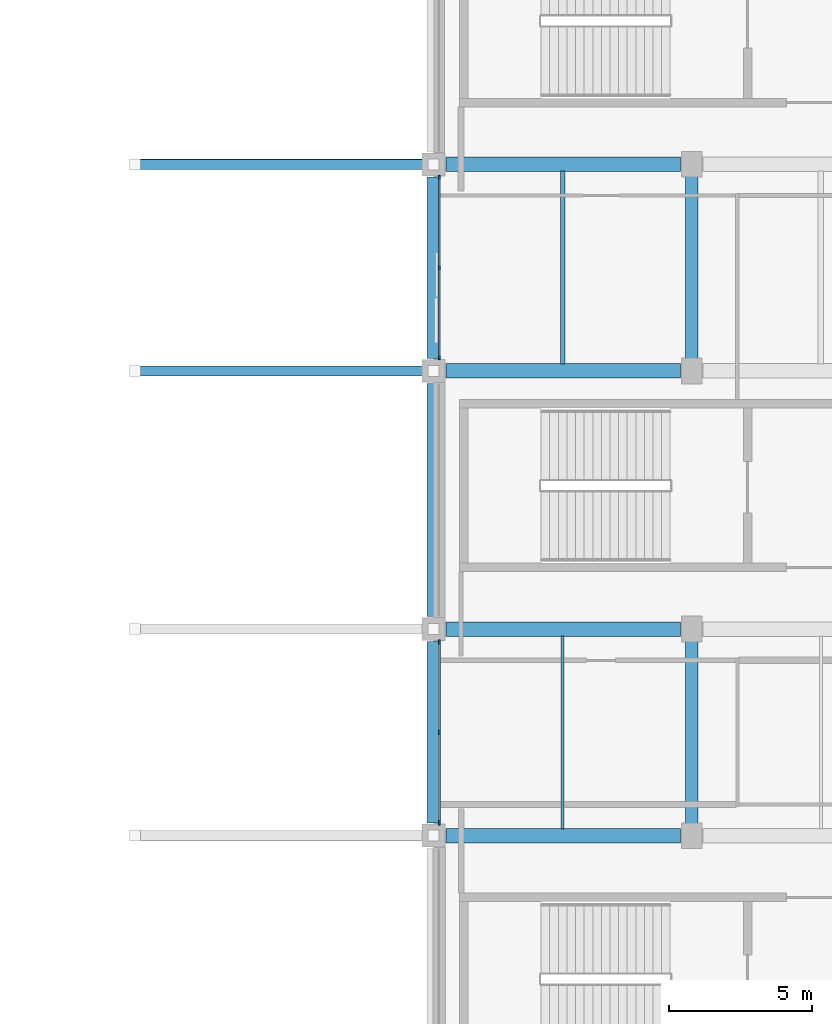
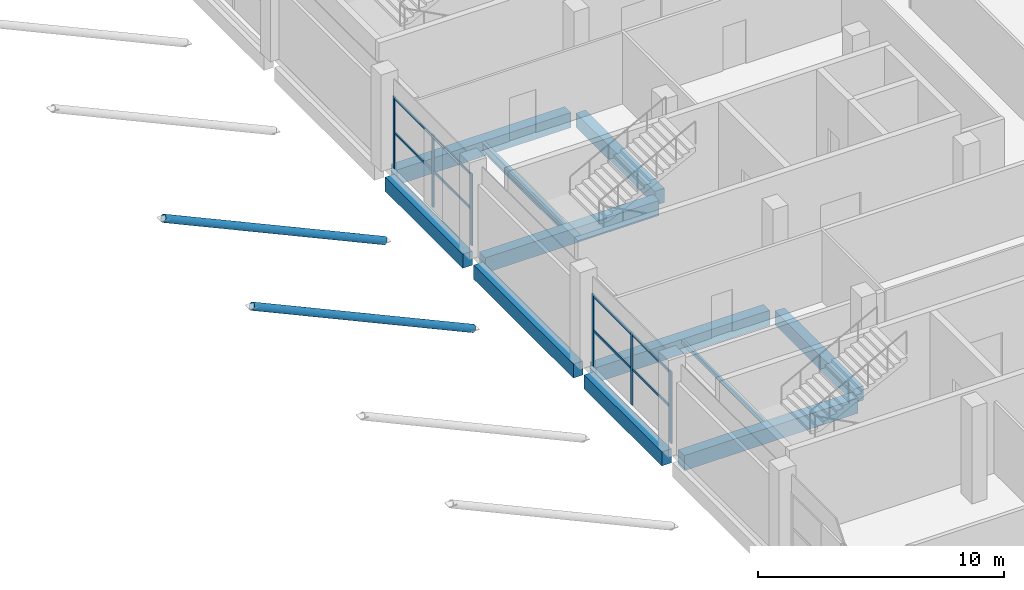
# One storey, part 28 of 82: 12 members, 11 beams, 2 elements without a shape of their own.
"""IFC4 building model written with IfcOpenShell, lengths in metres."""

from ifc_helpers import new_model, si_unit, direction, frame, origin, origin_2d, place, context, subcontext, project, spatial, rectangle, hollow_rectangle, hollow_circle, i_section, extrude, material, material_profile, profile_set, type_object, element, aggregate, save


model = new_model("IFC4")

# Units and contexts
model_context = context("Model", 3, precision=1e-05, world=origin(), true_north=direction((0.0, 1.0)))
body_context = subcontext(model_context, "Body", "Model", "MODEL_VIEW")
ifc_project = project(units=[si_unit("LENGTHUNIT", "METRE"), si_unit("AREAUNIT", "SQUARE_METRE"), si_unit("VOLUMEUNIT", "CUBIC_METRE"), si_unit("PLANEANGLEUNIT", "RADIAN"), si_unit("MASSUNIT", "GRAM", prefix="KILO"), si_unit("THERMODYNAMICTEMPERATUREUNIT", "KELVIN"), si_unit("POWERUNIT", "WATT")], contexts=[model_context])

# Site, building, storey
site_placement = place(None, origin())
site = spatial("IfcSite", under=ifc_project, at=site_placement, CompositionType="ELEMENT")
building_placement = place(site_placement, origin())
building = spatial("IfcBuilding", under=site, at=building_placement, Name="Sindhuravela Promenade Stadium", CompositionType="ELEMENT")
storey_placement = place(building_placement, frame((0.0, 0.0, 14.39990234375)))
storey = spatial("IfcBuildingStorey", under=building, at=storey_placement, Name="L03", CompositionType="ELEMENT", Elevation=14.39990234375)

# Curtain wall, members
ifc_material_1 = material(Name="Anodised architectural aluminium 6063-T6", Category="aluminium")
curtain_wall_type_1 = type_object("IfcCurtainWallType", Name="CW-MOD-4", PredefinedType="NOTDEFINED", material=ifc_material_1)
curtain_wall_1_placement = place(storey_placement, origin())
curtain_wall_1 = element("IfcCurtainWall", 1, at=curtain_wall_1_placement, inside=storey, type_object=curtain_wall_type_1, Name="Bronze curtain wall CW-EAST-L03-123", PredefinedType="NOTDEFINED")
ifc_material_profile_1 = material_profile(ifc_material_1, rectangle(XDim=0.06005859375, YDim=0.159912109375, at=origin_2d()), Name="ALU M60x160")
ifc_profile_set_1 = profile_set([ifc_material_profile_1], Name="Anodised architectural aluminium 6063-T6")
member_type_1 = type_object("IfcMemberType", Name="CW-MUL-4", PredefinedType="MULLION", material=ifc_profile_set_1)
member_1_placement = place(storey_placement, frame((180.199951171875, 77.85009765625, 0.0), z_axis=(0.0, 0.0, 1.0), x_axis=(1.0, 0.0, 0.0)))
member_1 = element("IfcMember", 2, at=member_1_placement, type_object=member_type_1, Name="Curtain wall mullion CW-EAST-L03-123-M1", PredefinedType="MULLION", context=body_context, shape_type="SweptSolid", body=[
    extrude(rectangle(XDim=0.06005859375, YDim=0.159912109375, at=origin_2d()), origin(), (0.0, 0.0, 1.0), 3.580078125),
])
member_2_placement = place(storey_placement, frame((180.199951171875, 81.0, 0.0), z_axis=(0.0, 0.0, 1.0), x_axis=(1.0, 0.0, 0.0)))
member_2 = element("IfcMember", 3, at=member_2_placement, type_object=member_type_1, Name="Curtain wall mullion CW-EAST-L03-123-M2", PredefinedType="MULLION", context=body_context, shape_type="SweptSolid", body=[
    extrude(rectangle(XDim=0.06005859375, YDim=0.159912109375, at=origin_2d()), origin(), (0.0, 0.0, 1.0), 3.580078125),
])
member_3_placement = place(storey_placement, frame((180.199951171875, 84.14990234375, 0.0), z_axis=(0.0, 0.0, 1.0), x_axis=(1.0, 0.0, 0.0)))
member_3 = element("IfcMember", 4, at=member_3_placement, type_object=member_type_1, Name="Curtain wall mullion CW-EAST-L03-123-M3", PredefinedType="MULLION", context=body_context, shape_type="SweptSolid", body=[
    extrude(rectangle(XDim=0.06005859375, YDim=0.159912109375, at=origin_2d()), origin(), (0.0, 0.0, 1.0), 3.580078125),
])

curtain_wall_type_2 = type_object("IfcCurtainWallType", Name="CW-MOD-5", PredefinedType="NOTDEFINED", material=ifc_material_1)
curtain_wall_2_placement = place(storey_placement, origin())
curtain_wall_2 = element("IfcCurtainWall", 5, at=curtain_wall_2_placement, inside=storey, type_object=curtain_wall_type_2, Name="Bronze curtain wall CW-EAST-L03-124", PredefinedType="NOTDEFINED")
ifc_material_profile_2 = material_profile(ifc_material_1, rectangle(XDim=0.06005859375, YDim=0.139892578125, at=origin_2d()), Name="ALU M60x140")
ifc_profile_set_2 = profile_set([ifc_material_profile_2], Name="Anodised architectural aluminium 6063-T6")
member_type_2 = type_object("IfcMemberType", Name="CW-MUL-5", PredefinedType="MULLION", material=ifc_profile_set_2)
member_4_placement = place(storey_placement, frame((180.199951171875, 94.050048828125, 0.0), z_axis=(0.0, 0.0, 1.0), x_axis=(1.0, 0.0, 0.0)))
member_4 = element("IfcMember", 6, at=member_4_placement, type_object=member_type_2, Name="Curtain wall mullion CW-EAST-L03-124-M1", PredefinedType="MULLION", context=body_context, shape_type="SweptSolid", body=[
    extrude(rectangle(XDim=0.06005859375, YDim=0.139892578125, at=origin_2d()), origin(), (0.0, 0.0, 1.0), 3.580078125),
])
member_5_placement = place(storey_placement, frame((180.199951171875, 97.199951171875, 0.0), z_axis=(0.0, 0.0, 1.0), x_axis=(1.0, 0.0, 0.0)))
member_5 = element("IfcMember", 7, at=member_5_placement, type_object=member_type_2, Name="Curtain wall mullion CW-EAST-L03-124-M2", PredefinedType="MULLION", context=body_context, shape_type="SweptSolid", body=[
    extrude(rectangle(XDim=0.06005859375, YDim=0.139892578125, at=origin_2d()), origin(), (0.0, 0.0, 1.0), 3.580078125),
])
member_6_placement = place(storey_placement, frame((180.199951171875, 100.35009765625, 0.0), z_axis=(0.0, 0.0, 1.0), x_axis=(1.0, 0.0, 0.0)))
member_6 = element("IfcMember", 8, at=member_6_placement, type_object=member_type_2, Name="Curtain wall mullion CW-EAST-L03-124-M3", PredefinedType="MULLION", context=body_context, shape_type="SweptSolid", body=[
    extrude(rectangle(XDim=0.06005859375, YDim=0.139892578125, at=origin_2d()), origin(), (0.0, 0.0, 1.0), 3.580078125),
])

# Member
ifc_material_profile_3 = material_profile(ifc_material_1, rectangle(XDim=0.06005859375, YDim=0.1201171875, at=origin_2d()), Name="ALU T60x120")
ifc_profile_set_3 = profile_set([ifc_material_profile_3], Name="Anodised architectural aluminium 6063-T6")
member_type_3 = type_object("IfcMemberType", Name="CW-TRN-4", PredefinedType="USERDEFINED", material=ifc_profile_set_3)
member_7_placement = place(storey_placement, frame((180.199951171875, 77.824951171875, 1.7900390625), z_axis=(0.0, 1.0, 0.0), x_axis=(-1.0, 0.0, 0.0)))
member_7 = element("IfcMember", 9, at=member_7_placement, type_object=member_type_3, Name="Curtain wall transom CW-EAST-L03-123-T1", ObjectType="TRANSOM", PredefinedType="USERDEFINED", context=body_context, shape_type="SweptSolid", body=[
    extrude(rectangle(XDim=0.06005859375, YDim=0.1201171875, at=origin_2d()), origin(), (0.0, 0.0, 1.0), 6.35009765625),
])

member_8_placement = place(storey_placement, frame((180.199951171875, 77.824951171875, 3.5), z_axis=(0.0, 1.0, 0.0), x_axis=(-1.0, 0.0, 0.0)))
member_8 = element("IfcMember", 10, at=member_8_placement, type_object=member_type_3, Name="Curtain wall transom CW-EAST-L03-123-T2", ObjectType="TRANSOM", PredefinedType="USERDEFINED", context=body_context, shape_type="SweptSolid", body=[
    extrude(rectangle(XDim=0.06005859375, YDim=0.1201171875, at=origin_2d()), origin(), (0.0, 0.0, 1.0), 6.35009765625),
])

aggregate(curtain_wall_1, [member_1, member_2, member_3, member_7, member_8])

ifc_material_profile_4 = material_profile(ifc_material_1, rectangle(XDim=0.06005859375, YDim=0.110107421875, at=origin_2d()), Name="ALU T60x110")
ifc_profile_set_4 = profile_set([ifc_material_profile_4], Name="Anodised architectural aluminium 6063-T6")
member_type_4 = type_object("IfcMemberType", Name="CW-TRN-5", PredefinedType="USERDEFINED", material=ifc_profile_set_4)
member_9_placement = place(storey_placement, frame((180.199951171875, 94.02490234375, 1.7900390625), z_axis=(0.0, 1.0, 0.0), x_axis=(-1.0, 0.0, 0.0)))
member_9 = element("IfcMember", 11, at=member_9_placement, type_object=member_type_4, Name="Curtain wall transom CW-EAST-L03-124-T1", ObjectType="TRANSOM", PredefinedType="USERDEFINED", context=body_context, shape_type="SweptSolid", body=[
    extrude(rectangle(XDim=0.06005859375, YDim=0.110107421875, at=origin_2d()), origin(), (0.0, 0.0, 1.0), 6.35009765625),
])

member_10_placement = place(storey_placement, frame((180.199951171875, 94.02490234375, 3.5), z_axis=(0.0, 1.0, 0.0), x_axis=(-1.0, 0.0, 0.0)))
member_10 = element("IfcMember", 12, at=member_10_placement, type_object=member_type_4, Name="Curtain wall transom CW-EAST-L03-124-T2", ObjectType="TRANSOM", PredefinedType="USERDEFINED", context=body_context, shape_type="SweptSolid", body=[
    extrude(rectangle(XDim=0.06005859375, YDim=0.110107421875, at=origin_2d()), origin(), (0.0, 0.0, 1.0), 6.35009765625),
])

aggregate(curtain_wall_2, [member_4, member_5, member_6, member_9, member_10])

# Beams
ifc_material_2 = material(Name="Concrete M40", Category="concrete")
ifc_material_profile_5 = material_profile(ifc_material_2, rectangle(XDim=0.449951171875, YDim=0.699951171875, at=origin_2d()), Name="RC 450x700")
ifc_profile_set_5 = profile_set([ifc_material_profile_5], Name="Concrete M40")
beam_type_1 = type_object("IfcBeamType", Name="RC-BM-450x700", PredefinedType="BEAM", material=ifc_profile_set_5)
beam_1_placement = place(storey_placement, frame((180.0, 77.840087890625, -0.64990234375), z_axis=(0.0, 1.0, 0.0), x_axis=(-1.0, 0.0, 0.0)))
element("IfcBeam", 13, at=beam_1_placement, inside=storey, type_object=beam_type_1, Name="Primary beam GB07 EAST L03", PredefinedType="BEAM", context=body_context, shape_type="SweptSolid", body=[
    extrude(rectangle(XDim=0.449951171875, YDim=0.699951171875, at=origin_2d()), origin(), (0.0, 0.0, 1.0), 6.31982421875),
])
beam_2_placement = place(storey_placement, frame((180.0, 85.0400390625, -0.64990234375), z_axis=(0.0, 1.0, 0.0), x_axis=(-1.0, 0.0, 0.0)))
element("IfcBeam", 14, at=beam_2_placement, inside=storey, type_object=beam_type_1, Name="Primary beam GB07 EAST L03", PredefinedType="BEAM", context=body_context, shape_type="SweptSolid", body=[
    extrude(rectangle(XDim=0.449951171875, YDim=0.699951171875, at=origin_2d()), origin(), (0.0, 0.0, 1.0), 8.119873046875),
])
beam_3_placement = place(storey_placement, frame((180.0, 94.0400390625, -0.64990234375), z_axis=(0.0, 1.0, 0.0), x_axis=(-1.0, 0.0, 0.0)))
element("IfcBeam", 15, at=beam_3_placement, inside=storey, type_object=beam_type_1, Name="Primary beam GB07 EAST L03", PredefinedType="BEAM", context=body_context, shape_type="SweptSolid", body=[
    extrude(rectangle(XDim=0.449951171875, YDim=0.699951171875, at=origin_2d()), origin(), (0.0, 0.0, 1.0), 6.320068359375),
])
for number, where, z_axis, x_axis, name in (
    (16, (189.0, 77.7900390625, -0.64990234375), (0.0, 1.0, 0.0), (-1.0, 0.0, 0.0), "Primary beam GB07 EAST L03"),
    (17, (189.0, 93.989990234375, -0.64990234375), (0.0, 1.0, 0.0), (-1.0, 0.0, 0.0), "Primary beam GB07 EAST L03"),
):
    element("IfcBeam", number, at=place(storey_placement, frame(where, z_axis=z_axis, x_axis=x_axis)), inside=storey, type_object=beam_type_1, Name=name, PredefinedType="BEAM", context=body_context, shape_type="SweptSolid", body=[
        extrude(rectangle(XDim=0.449951171875, YDim=0.699951171875, at=origin_2d()), origin(), (0.0, 0.0, 1.0), 6.419921875),
    ])
ifc_material_profile_6 = material_profile(ifc_material_2, rectangle(XDim=0.5, YDim=0.75, at=origin_2d()), Name="RC 500x750")
ifc_profile_set_6 = profile_set([ifc_material_profile_6], Name="Concrete M40")
beam_type_2 = type_object("IfcBeamType", Name="RC-BM-500x750", PredefinedType="BEAM", material=ifc_profile_set_6)
for number, where, z_axis, x_axis, name in (
    (18, (180.43994140625, 77.39990234375, -0.6748046875), (1.0, 0.0, 0.0), (0.0, 1.0, 0.0), "Primary girder GB06 EAST L03"),
    (19, (180.43994140625, 84.60009765625, -0.6748046875), (1.0, 0.0, 0.0), (0.0, 1.0, 0.0), "Primary girder GB06 EAST L03"),
    (20, (180.43994140625, 93.60009765625, -0.6748046875), (1.0, 0.0, 0.0), (0.0, 1.0, 0.0), "Primary girder GB06 EAST L03"),
    (21, (180.43994140625, 100.800048828125, -0.6748046875), (1.0, 0.0, 0.0), (0.0, 1.0, 0.0), "Primary girder GB06 EAST L03"),
):
    element("IfcBeam", number, at=place(storey_placement, frame(where, z_axis=z_axis, x_axis=x_axis)), inside=storey, type_object=beam_type_2, Name=name, PredefinedType="BEAM", context=body_context, shape_type="SweptSolid", body=[
        extrude(rectangle(XDim=0.5, YDim=0.75, at=origin_2d()), origin(), (0.0, 0.0, 1.0), 8.170166015625),
    ])
ifc_material_3 = material(Name="Steel E350 (IS 2062 E350BR)", Category="steel")
ifc_material_profile_7 = material_profile(ifc_material_3, hollow_rectangle(XDim=0.10009765625, YDim=0.199951171875, WallThickness=0.008056640625, at=origin_2d()), Name="RHS 200x100x8")
ifc_profile_set_7 = profile_set([ifc_material_profile_7], Name="Steel E350 (IS 2062 E350BR)")
beam_type_3 = type_object("IfcBeamType", Name="ST-BM-LNT200", PredefinedType="LINTEL", material=ifc_profile_set_7)
beam_4_placement = place(storey_placement, frame((184.5, 77.639892578125, -0.39990234375), z_axis=(0.0, 1.0, 0.0), x_axis=(-1.0, 0.0, 0.0)))
element("IfcBeam", 22, at=beam_4_placement, inside=storey, type_object=beam_type_3, Name="Secondary floor joist LN01 EAST L03", PredefinedType="LINTEL", context=body_context, shape_type="SweptSolid", body=[
    extrude(hollow_rectangle(XDim=0.10009765625, YDim=0.199951171875, WallThickness=0.008056640625, at=origin_2d()), origin(), (0.0, 0.0, 1.0), 6.72021484375),
])
ifc_material_profile_8 = material_profile(ifc_material_3, i_section(OverallWidth=0.14990234375, OverallDepth=0.449951171875, WebThickness=0.009521484375, FlangeThickness=0.017333984375, FilletRadius=0.014892578125, at=origin_2d()), Name="ISMB 450")
ifc_profile_set_8 = profile_set([ifc_material_profile_8], Name="Steel E350 (IS 2062 E350BR)")
beam_type_4 = type_object("IfcBeamType", Name="ST-BM-MB450", PredefinedType="BEAM", material=ifc_profile_set_8)
beam_5_placement = place(storey_placement, frame((184.5, 93.840087890625, -0.52490234375), z_axis=(0.0, 1.0, 0.0), x_axis=(-1.0, 0.0, 0.0)))
element("IfcBeam", 23, at=beam_5_placement, inside=storey, type_object=beam_type_4, Name="Secondary floor joist SB06 EAST L03", PredefinedType="BEAM", context=body_context, shape_type="SweptSolid", body=[
    extrude(i_section(OverallWidth=0.14990234375, OverallDepth=0.449951171875, WebThickness=0.009521484375, FlangeThickness=0.017333984375, FilletRadius=0.014892578125, at=origin_2d()), origin(), (0.0, 0.0, 1.0), 6.719970703125),
])

# Members
ifc_material_profile_9 = material_profile(ifc_material_3, hollow_circle(Radius=0.177734375, WallThickness=0.011962890625, at=origin_2d()), Name="CHS 355.6x12")
ifc_profile_set_9 = profile_set([ifc_material_profile_9], Name="Steel E350 (IS 2062 E350BR)")
member_type_5 = type_object("IfcMemberType", Name="ST-MB-CHS356", PredefinedType="STRUT", material=ifc_profile_set_9)
for number, where, z_axis, x_axis, name in (
    (24, (180.0, 93.60009765625, -3.7998046875), (-0.9096146847750655, 0.0, 0.41545291579378546), (0.0, -1.0, 0.0), "Upper raker prop strut MS02 STRUT-T2-E-064"),
    (25, (180.0, 100.800048828125, -3.7998046875), (-0.9096146847750655, 0.0, 0.41545291579378546), (0.0, -1.0, 0.0), "Upper raker prop strut MS02 STRUT-T2-E-066"),
):
    element("IfcMember", number, at=place(storey_placement, frame(where, z_axis=z_axis, x_axis=x_axis)), inside=storey, type_object=member_type_5, Name=name, PredefinedType="STRUT", context=body_context, shape_type="SweptSolid", body=[
        extrude(hollow_circle(Radius=0.177734375, WallThickness=0.011962890625, at=origin_2d()), origin(), (0.0, 0.0, 1.0), 11.433349609375),
    ])

save(model, "model.ifc")
